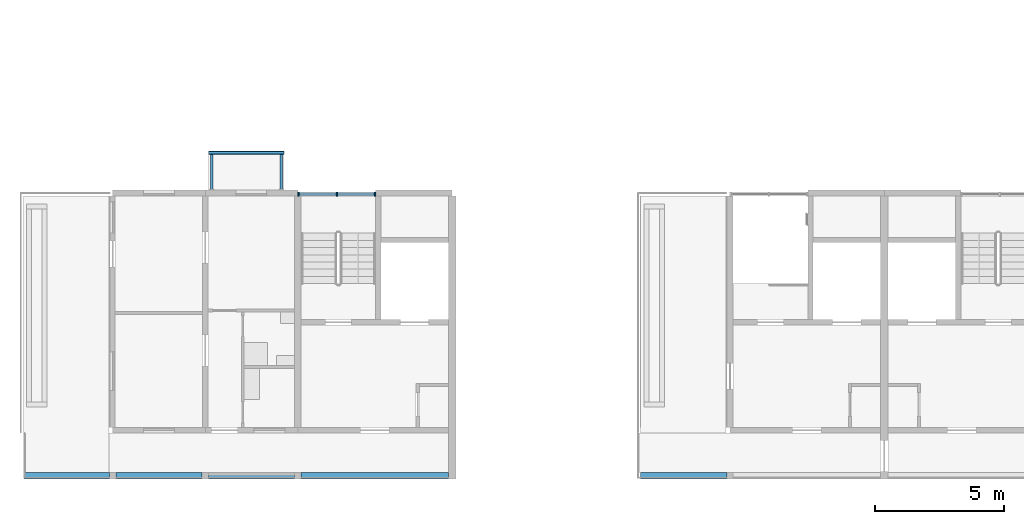
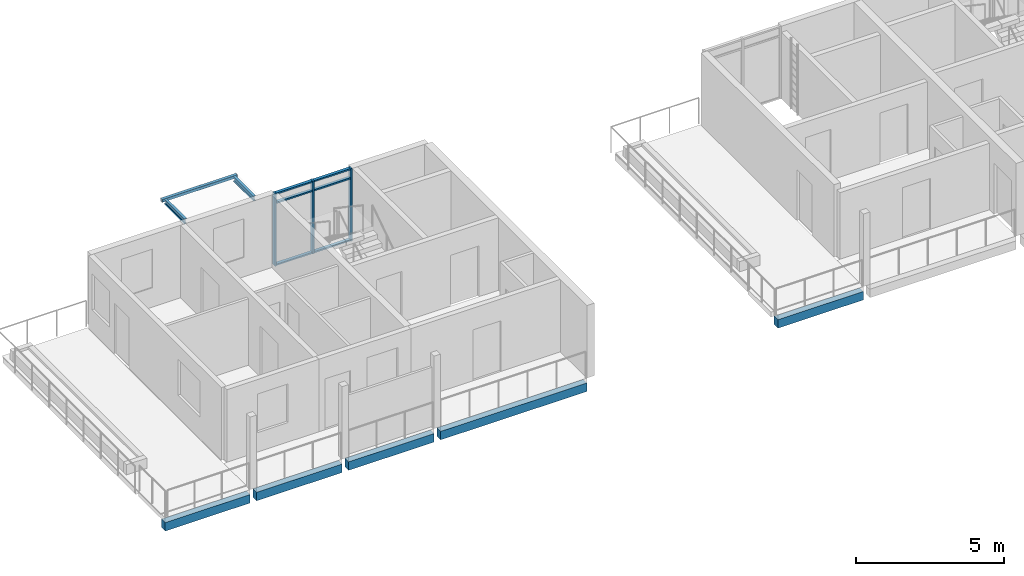
# One storey, part 4 of 55: 9 members, 8 beams, 1 element without a shape of its own.
"""IFC4 building model written with IfcOpenShell, lengths in metres."""

import ifcopenshell
import ifcopenshell.guid

model = None  # the IFC model being written
_history = None  # IfcOwnerHistory: only IFC2X3 demands one
_inside = {}  # id of a spatial element -> (the spatial element, [elements in it])
_under = {}  # id of a project, library or spatial element -> (it, [spatial elements below it])
_declared = {}  # id of a project -> (the project, [libraries it declares])
_typed = {}  # id of a type object -> (the type object, [elements of that type])
_made_of = {}  # id of a material, layer set ... -> (it, [elements and type objects made of it])


def new_model(schema):
    """Start an empty IFC model of exactly this schema.

    Asked for "IFC4X3", IfcOpenShell would pick the latest addendum, in which some entities
    have other attributes; the version numbers below select the first issue.
    IFC2X3 requires an IfcOwnerHistory on every rooted entity: one is made here for all.
    """
    global model, _history
    if schema == "IFC4X3":
        model = ifcopenshell.file(schema_version=(4, 3, 0, 0))
    else:
        model = ifcopenshell.file(schema=schema)
    _inside.clear()
    _under.clear()
    _declared.clear()
    _typed.clear()
    _made_of.clear()
    _history = None
    if model.schema == "IFC2X3":
        org = make("IfcOrganization", Name="unknown")
        user = make(
            "IfcPersonAndOrganization",
            ThePerson=make("IfcPerson", FamilyName="unknown"),
            TheOrganization=org,
        )
        app = make(
            "IfcApplication",
            ApplicationDeveloper=org,
            Version="unknown",
            ApplicationFullName="unknown",
            ApplicationIdentifier="unknown",
        )
        _history = make(
            "IfcOwnerHistory",
            OwningUser=user,
            OwningApplication=app,
            ChangeAction="ADDED",
            CreationDate=0,
        )
    return model


def make(cls, **values):
    """One entity of the class cls with the attributes given. An attribute that is None is left unset."""
    return model.create_entity(
        cls, **{name: value for name, value in values.items() if value is not None}
    )


def rooted(cls, **values):
    """An entity with a GlobalId (a new one), such as an element, a storey or a relation."""
    return make(cls, GlobalId=ifcopenshell.guid.new(), OwnerHistory=_history, **values)


def si_unit(unit_type, name, prefix=None):
    """IfcSIUnit, for example si_unit("LENGTHUNIT", "METRE", prefix="MILLI")."""
    return make("IfcSIUnit", UnitType=unit_type, Prefix=prefix, Name=name)


def assignment(units):
    """IfcUnitAssignment: the units of a project."""
    return None if units is None else make("IfcUnitAssignment", Units=units)


def point(xyz):
    """IfcCartesianPoint."""
    return None if xyz is None else make("IfcCartesianPoint", Coordinates=xyz)


def direction(xyz):
    """IfcDirection."""
    return None if xyz is None else make("IfcDirection", DirectionRatios=xyz)


def frame(location, z_axis=None, x_axis=None):
    """IfcAxis2Placement3D, a coordinate frame: its origin and axes. An axis left out is left unset."""
    return make(
        "IfcAxis2Placement3D",
        Location=point(location),
        Axis=direction(z_axis),
        RefDirection=direction(x_axis),
    )


def frame_2d(location, x_axis=None):
    """IfcAxis2Placement2D, a coordinate frame in the plane: its origin and x axis."""
    return make(
        "IfcAxis2Placement2D", Location=point(location), RefDirection=direction(x_axis)
    )


def origin():
    """The frame at (0, 0, 0) with its axes left unset."""
    return frame((0.0, 0.0, 0.0))


def origin_2d():
    """The frame at (0, 0) in the plane with its x axis left unset."""
    return frame_2d((0.0, 0.0))


def place(relative_to, where):
    """IfcLocalPlacement: puts the frame where relative to a parent placement (None: the world)."""
    return make(
        "IfcLocalPlacement", PlacementRelTo=relative_to, RelativePlacement=where
    )


def context(
    kind, dimensions, precision=None, world=None, true_north=None, identifier=None
):
    """IfcGeometricRepresentationContext, for example the 3D "Model" context."""
    return make(
        "IfcGeometricRepresentationContext",
        ContextIdentifier=identifier,
        ContextType=kind,
        CoordinateSpaceDimension=dimensions,
        Precision=precision,
        WorldCoordinateSystem=world,
        TrueNorth=true_north,
    )


def subcontext(parent, identifier, kind, view, scale=None):
    """IfcGeometricRepresentationSubContext, for example "Body" below "Model"."""
    return make(
        "IfcGeometricRepresentationSubContext",
        ContextIdentifier=identifier,
        ContextType=kind,
        ParentContext=parent,
        TargetScale=scale,
        TargetView=view,
    )


def project(units=None, contexts=None):
    """IfcProject with its units and contexts."""
    return rooted(
        "IfcProject",
        Name="project",
        RepresentationContexts=contexts,
        UnitsInContext=assignment(units),
    )


def spatial(cls, under=None, at=None, **own):
    """A site, building, storey or space (cls), placed at a placement, below another one or the project."""
    s = rooted(cls, ObjectPlacement=at, **own)
    if under is not None:
        _under.setdefault(under.id(), (under, []))[1].append(s)
    return s


def profile(cls, at=None, kind="AREA", **sizes):
    """A parametric profile (cls). Its sizes go by their IFC names, for example OverallWidth=200.0."""
    return make(cls, ProfileType=kind, Position=at, **sizes)


def rectangle(**sizes):
    """IfcRectangleProfileDef."""
    return profile("IfcRectangleProfileDef", **sizes)


def hollow_rectangle(**sizes):
    """IfcRectangleHollowProfileDef."""
    return profile("IfcRectangleHollowProfileDef", **sizes)


def i_section(**sizes):
    """IfcIShapeProfileDef."""
    return profile("IfcIShapeProfileDef", **sizes)


def extrude(swept, where, along, depth):
    """IfcExtrudedAreaSolid: the profile swept, set in the frame where, extruded along a direction by depth."""
    return make(
        "IfcExtrudedAreaSolid",
        SweptArea=swept,
        Position=where,
        ExtrudedDirection=direction(along),
        Depth=depth,
    )


def shape(context_of_items, identifier, shape_type, items):
    """IfcShapeRepresentation: the items that make up one representation, for example the "Body"."""
    return make(
        "IfcShapeRepresentation",
        ContextOfItems=context_of_items,
        RepresentationIdentifier=identifier,
        RepresentationType=shape_type,
        Items=items,
    )


def material(Name=None, Category=None):
    """IfcMaterial."""
    return make("IfcMaterial", Name=Name, Category=Category)


def material_profile(
    of_material, cross_section, Name=None, Category=None, Priority=None
):
    """IfcMaterialProfile: a cross section and its material."""
    return make(
        "IfcMaterialProfile",
        Name=Name,
        Material=of_material,
        Profile=cross_section,
        Priority=Priority,
        Category=Category,
    )


def profile_set(profiles, Name=None, composite=None):
    """IfcMaterialProfileSet."""
    return make(
        "IfcMaterialProfileSet",
        Name=Name,
        MaterialProfiles=profiles,
        CompositeProfile=composite,
    )


def made_of(thing, what):
    """Note that an element or type object is made of a material, layer set ...; save() writes the relation."""
    if what is not None:
        _made_of.setdefault(what.id(), (what, []))[1].append(thing)
    return thing


def type_object(cls, material=None, **own):
    """A type object (cls), such as IfcWallType, which elements share."""
    return made_of(rooted(cls, **own), material)


def element(
    cls,
    number,
    at=None,
    inside=None,
    cuts=None,
    type_object=None,
    material=None,
    context=None,
    identifier="Body",
    shape_type=None,
    held_by="IfcProductDefinitionShape",
    body=None,
    shapes=None,
    **own,
):
    """One element of the class cls, such as IfcWall. Its Tag is "e" and its number.

    at: its placement. inside: the storey or other place that contains it. cuts: it is an
    opening in that element (IfcRelVoidsElement). A single representation is given by context,
    identifier, shape_type and body (its items); several are given by shapes. held_by: the class
    of the entity that holds the representations. save() writes the other relations.
    """
    e = rooted(cls, Tag="e%d" % number, ObjectPlacement=at, **own)
    if body is not None:
        shapes = [shape(context, identifier, shape_type, body)]
    if shapes is not None:
        e.Representation = make(held_by, Representations=shapes)
    if inside is not None:
        _inside.setdefault(inside.id(), (inside, []))[1].append(e)
    if cuts is not None:
        rooted(
            "IfcRelVoidsElement", RelatingBuildingElement=cuts, RelatedOpeningElement=e
        )
    if type_object is not None:
        _typed.setdefault(type_object.id(), (type_object, []))[1].append(e)
    return made_of(e, material)


def aggregate(whole, parts):
    """IfcRelAggregates: a whole, such as a stair, and the parts it consists of."""
    return rooted("IfcRelAggregates", RelatingObject=whole, RelatedObjects=parts)


def save(model, path):
    """Write the relations noted so far, then the file.

    IfcRelAggregates (storeys below a building ...), IfcRelContainedInSpatialStructure (elements
    in a storey), IfcRelDefinesByType, IfcRelAssociatesMaterial and IfcRelDeclares: one each for
    every whole, place, type object, material and project.
    """
    for whole, parts in _under.values():
        aggregate(whole, parts)
    for where, things in _inside.values():
        rooted(
            "IfcRelContainedInSpatialStructure",
            RelatedElements=things,
            RelatingStructure=where,
        )
    for kind, things in _typed.values():
        rooted("IfcRelDefinesByType", RelatedObjects=things, RelatingType=kind)
    for what, things in _made_of.values():
        rooted("IfcRelAssociatesMaterial", RelatedObjects=things, RelatingMaterial=what)
    for by, libraries in _declared.values():
        rooted("IfcRelDeclares", RelatingContext=by, RelatedDefinitions=libraries)
    model.write(path)


model = new_model("IFC4")

# Units and contexts
model_context = context("Model", 3, precision=1e-05, world=origin(), true_north=direction((0.0, 1.0)))
body_context = subcontext(model_context, "Body", "Model", "MODEL_VIEW")
ifc_project = project(units=[si_unit("LENGTHUNIT", "METRE"), si_unit("AREAUNIT", "SQUARE_METRE"), si_unit("VOLUMEUNIT", "CUBIC_METRE"), si_unit("PLANEANGLEUNIT", "RADIAN"), si_unit("MASSUNIT", "GRAM", prefix="KILO")], contexts=[model_context])

# Site, building, storey
site_placement = place(None, origin())
site = spatial("IfcSite", under=ifc_project, at=site_placement, CompositionType="ELEMENT")
building_placement = place(site_placement, origin())
building = spatial("IfcBuilding", under=site, at=building_placement, Name="Ridgestep Commons", CompositionType="ELEMENT")
storey_placement = place(building_placement, frame((0.0, 0.0, 36.0)))
storey = spatial("IfcBuildingStorey", under=building, at=storey_placement, Name="L12", CompositionType="ELEMENT", Elevation=36.0)

# Beams
ifc_material_1 = material(Name="Precast concrete C40/50", Category="concrete")
ifc_material_profile_1 = material_profile(ifc_material_1, rectangle(XDim=0.25, YDim=0.35009765625, at=origin_2d()), Name="PC 250x350")
ifc_profile_set_1 = profile_set([ifc_material_profile_1], Name="Precast concrete C40/50")
beam_type_1 = type_object("IfcBeamType", Name="Loggia edge beam 250 x 350", PredefinedType="SPANDREL", material=ifc_profile_set_1)
beam_1_placement = place(storey_placement, frame((12.14990234375, 11.875, -0.375), z_axis=(1.0, 0.0, 0.0), x_axis=(0.0, 1.0, 0.0)))
element("IfcBeam", 1, at=beam_1_placement, inside=storey, type_object=beam_type_1, Name="Loggia edge beam A1T1 L12", PredefinedType="SPANDREL", context=body_context, shape_type="SweptSolid", body=[
    extrude(rectangle(XDim=0.25, YDim=0.35009765625, at=origin_2d()), origin(), (0.0, 0.0, 1.0), 3.3251953125),
])
beam_2_placement = place(storey_placement, frame((15.72509765625, 11.875, -0.375), z_axis=(1.0, 0.0, 0.0), x_axis=(0.0, 1.0, 0.0)))
element("IfcBeam", 2, at=beam_2_placement, inside=storey, type_object=beam_type_1, Name="Loggia edge beam A1T2 L12", PredefinedType="SPANDREL", context=body_context, shape_type="SweptSolid", body=[
    extrude(rectangle(XDim=0.25, YDim=0.35009765625, at=origin_2d()), origin(), (0.0, 0.0, 1.0), 3.349853515625),
])
beam_3_placement = place(storey_placement, frame((19.324951171875, 11.875, -0.375), z_axis=(1.0, 0.0, 0.0), x_axis=(0.0, 1.0, 0.0)))
element("IfcBeam", 3, at=beam_3_placement, inside=storey, type_object=beam_type_1, Name="Loggia edge beam A1T3 L12", PredefinedType="SPANDREL", context=body_context, shape_type="SweptSolid", body=[
    extrude(rectangle(XDim=0.25, YDim=0.35009765625, at=origin_2d()), origin(), (0.0, 0.0, 1.0), 3.35009765625),
])
beam_4_placement = place(storey_placement, frame((22.925048828125, 11.875, -0.375), z_axis=(1.0, 0.0, 0.0), x_axis=(0.0, 1.0, 0.0)))
element("IfcBeam", 4, at=beam_4_placement, inside=storey, type_object=beam_type_1, Name="Loggia edge beam A1C L12", PredefinedType="SPANDREL", context=body_context, shape_type="SweptSolid", body=[
    extrude(rectangle(XDim=0.25, YDim=0.35009765625, at=origin_2d()), origin(), (0.0, 0.0, 1.0), 5.724853515625),
])
beam_5_placement = place(storey_placement, frame((36.125, 11.875, -0.375), z_axis=(1.0, 0.0, 0.0), x_axis=(0.0, 1.0, 0.0)))
element("IfcBeam", 5, at=beam_5_placement, inside=storey, type_object=beam_type_1, Name="Loggia edge beam A2T3 L12", PredefinedType="SPANDREL", context=body_context, shape_type="SweptSolid", body=[
    extrude(rectangle(XDim=0.25, YDim=0.35009765625, at=origin_2d()), origin(), (0.0, 0.0, 1.0), 3.35009765625),
])

# Curtain wall, members
ifc_material_2 = material(Name="Aluminium 6063-T6 and glass", Category="aluminium")
curtain_wall_type = type_object("IfcCurtainWallType", Name="Curtain wall stair strip", PredefinedType="NOTDEFINED", material=ifc_material_2)
curtain_wall_placement = place(storey_placement, origin())
curtain_wall = element("IfcCurtainWall", 6, at=curtain_wall_placement, inside=storey, type_object=curtain_wall_type, Name="Curtain wall A1C level 12", PredefinedType="NOTDEFINED")
ifc_material_3 = material(Name="Aluminium 6063-T6", Category="aluminium")
ifc_material_profile_2 = material_profile(ifc_material_3, rectangle(XDim=0.159912109375, YDim=0.06005859375, at=origin_2d()), Name="Mullion 60 x 160")
ifc_profile_set_2 = profile_set([ifc_material_profile_2], Name="Aluminium 6063-T6")
member_type_1 = type_object("IfcMemberType", Name="Mullion 60 x 160", PredefinedType="MULLION", material=ifc_profile_set_2)
member_1_placement = place(storey_placement, frame((22.830078125, 22.830078125, 0.0), z_axis=(0.0, 0.0, 1.0), x_axis=(0.0, 1.0, 0.0)))
member_1 = element("IfcMember", 7, at=member_1_placement, type_object=member_type_1, Name="CW1 mullion 1", PredefinedType="MULLION", context=body_context, shape_type="SweptSolid", body=[
    extrude(rectangle(XDim=0.159912109375, YDim=0.06005859375, at=origin_2d()), origin(), (0.0, 0.0, 1.0), 3.0),
])
member_2_placement = place(storey_placement, frame((24.3125, 22.830078125, 0.0), z_axis=(0.0, 0.0, 1.0), x_axis=(0.0, 1.0, 0.0)))
member_2 = element("IfcMember", 8, at=member_2_placement, type_object=member_type_1, Name="CW1 mullion 2", PredefinedType="MULLION", context=body_context, shape_type="SweptSolid", body=[
    extrude(rectangle(XDim=0.159912109375, YDim=0.06005859375, at=origin_2d()), origin(), (0.0, 0.0, 1.0), 3.0),
])
member_3_placement = place(storey_placement, frame((25.794921875, 22.830078125, 0.0), z_axis=(0.0, 0.0, 1.0), x_axis=(0.0, 1.0, 0.0)))
member_3 = element("IfcMember", 9, at=member_3_placement, type_object=member_type_1, Name="CW1 mullion 3", PredefinedType="MULLION", context=body_context, shape_type="SweptSolid", body=[
    extrude(rectangle(XDim=0.159912109375, YDim=0.06005859375, at=origin_2d()), origin(), (0.0, 0.0, 1.0), 3.0),
])
ifc_material_4 = material(Name="Aluminium 6063-T6", Category="aluminium")
ifc_material_profile_3 = material_profile(ifc_material_4, rectangle(XDim=0.1201171875, YDim=0.06005859375, at=origin_2d()), Name="Transom 60 x 120")
ifc_profile_set_3 = profile_set([ifc_material_profile_3], Name="Aluminium 6063-T6")
member_type_2 = type_object("IfcMemberType", Name="Transom 60 x 120", PredefinedType="USERDEFINED", material=ifc_profile_set_3)
member_4_placement = place(storey_placement, frame((22.860107421875, 22.830078125, 0.030029296875), z_axis=(1.0, 0.0, 0.0), x_axis=(0.0, 1.0, 0.0)))
member_4 = element("IfcMember", 10, at=member_4_placement, type_object=member_type_2, Name="CW1 transom 1.1", ObjectType="TRANSOM", PredefinedType="USERDEFINED", context=body_context, shape_type="SweptSolid", body=[
    extrude(rectangle(XDim=0.1201171875, YDim=0.06005859375, at=origin_2d()), origin(), (0.0, 0.0, 1.0), 1.42236328125),
])
member_5_placement = place(storey_placement, frame((22.860107421875, 22.830078125, 2.590087890625), z_axis=(1.0, 0.0, 0.0), x_axis=(0.0, 1.0, 0.0)))
member_5 = element("IfcMember", 11, at=member_5_placement, type_object=member_type_2, Name="CW1 transom 1.2", ObjectType="TRANSOM", PredefinedType="USERDEFINED", context=body_context, shape_type="SweptSolid", body=[
    extrude(rectangle(XDim=0.1201171875, YDim=0.06005859375, at=origin_2d()), origin(), (0.0, 0.0, 1.0), 1.42236328125),
])
member_6_placement = place(storey_placement, frame((22.860107421875, 22.830078125, 2.969970703125), z_axis=(1.0, 0.0, 0.0), x_axis=(0.0, 1.0, 0.0)))
member_6 = element("IfcMember", 12, at=member_6_placement, type_object=member_type_2, Name="CW1 transom 1.3", ObjectType="TRANSOM", PredefinedType="USERDEFINED", context=body_context, shape_type="SweptSolid", body=[
    extrude(rectangle(XDim=0.1201171875, YDim=0.06005859375, at=origin_2d()), origin(), (0.0, 0.0, 1.0), 1.42236328125),
])
member_7_placement = place(storey_placement, frame((24.342529296875, 22.830078125, 0.030029296875), z_axis=(1.0, 0.0, 0.0), x_axis=(0.0, 1.0, 0.0)))
member_7 = element("IfcMember", 13, at=member_7_placement, type_object=member_type_2, Name="CW1 transom 2.1", ObjectType="TRANSOM", PredefinedType="USERDEFINED", context=body_context, shape_type="SweptSolid", body=[
    extrude(rectangle(XDim=0.1201171875, YDim=0.06005859375, at=origin_2d()), origin(), (0.0, 0.0, 1.0), 1.42236328125),
])
member_8_placement = place(storey_placement, frame((24.342529296875, 22.830078125, 2.590087890625), z_axis=(1.0, 0.0, 0.0), x_axis=(0.0, 1.0, 0.0)))
member_8 = element("IfcMember", 14, at=member_8_placement, type_object=member_type_2, Name="CW1 transom 2.2", ObjectType="TRANSOM", PredefinedType="USERDEFINED", context=body_context, shape_type="SweptSolid", body=[
    extrude(rectangle(XDim=0.1201171875, YDim=0.06005859375, at=origin_2d()), origin(), (0.0, 0.0, 1.0), 1.42236328125),
])
member_9_placement = place(storey_placement, frame((24.342529296875, 22.830078125, 2.969970703125), z_axis=(1.0, 0.0, 0.0), x_axis=(0.0, 1.0, 0.0)))
member_9 = element("IfcMember", 15, at=member_9_placement, type_object=member_type_2, Name="CW1 transom 2.3", ObjectType="TRANSOM", PredefinedType="USERDEFINED", context=body_context, shape_type="SweptSolid", body=[
    extrude(rectangle(XDim=0.1201171875, YDim=0.06005859375, at=origin_2d()), origin(), (0.0, 0.0, 1.0), 1.42236328125),
])
aggregate(curtain_wall, [member_1, member_2, member_3, member_4, member_5, member_6, member_7, member_8, member_9])

# Beams
ifc_material_5 = material(Name="Weathering steel S355J2W", Category="steel")
ifc_material_profile_4 = material_profile(ifc_material_5, i_section(OverallWidth=0.101806640625, OverallDepth=0.203125, WebThickness=0.00537109375, FlangeThickness=0.00927734375, FilletRadius=0.007568359375, at=origin_2d()), Name="UB 203x102x23")
ifc_profile_set_4 = profile_set([ifc_material_profile_4], Name="Weathering steel S355J2W")
beam_type_2 = type_object("IfcBeamType", Name="Tray arm UB 203x102x23", PredefinedType="BEAM", material=ifc_profile_set_4)
for number, where, z_axis, x_axis, name in (
    (16, (19.449951171875, 23.014892578125, 2.888427734375), (0.0, 1.0, 0.0), (-1.0, 0.0, 0.0), "Tray arm A1T3-13.1"),
    (17, (22.14990234375, 23.014892578125, 2.888427734375), (0.0, 1.0, 0.0), (-1.0, 0.0, 0.0), "Tray arm A1T3-13.2"),
):
    element("IfcBeam", number, at=place(storey_placement, frame(where, z_axis=z_axis, x_axis=x_axis)), inside=storey, type_object=beam_type_2, Name=name, PredefinedType="BEAM", context=body_context, shape_type="SweptSolid", body=[
        extrude(i_section(OverallWidth=0.101806640625, OverallDepth=0.203125, WebThickness=0.00537109375, FlangeThickness=0.00927734375, FilletRadius=0.007568359375, at=origin_2d()), origin(), (0.0, 0.0, 1.0), 1.364990234375),
    ])
ifc_material_6 = material(Name="Weathering steel S355J2W", Category="steel")
ifc_material_profile_5 = material_profile(ifc_material_6, hollow_rectangle(XDim=0.1201171875, YDim=0.1201171875, WallThickness=0.00634765625, InnerFilletRadius=0.00634765625, OuterFilletRadius=0.009521484375, at=origin_2d()), Name="SHS 120x120x6.3")
ifc_profile_set_5 = profile_set([ifc_material_profile_5], Name="Weathering steel S355J2W")
beam_type_3 = type_object("IfcBeamType", Name="Tray edge member SHS 120x120x6.3", PredefinedType="BEAM", material=ifc_profile_set_5)
beam_6_placement = place(storey_placement, frame((19.330078125, 24.43994140625, 2.929931640625), z_axis=(1.0, 0.0, 0.0), x_axis=(0.0, 0.0, 1.0)))
element("IfcBeam", 18, at=beam_6_placement, inside=storey, type_object=beam_type_3, Name="Tray edge member A1T3-13", PredefinedType="BEAM", context=body_context, shape_type="SweptSolid", body=[
    extrude(hollow_rectangle(XDim=0.1201171875, YDim=0.1201171875, WallThickness=0.00634765625, InnerFilletRadius=0.00634765625, OuterFilletRadius=0.009521484375, at=origin_2d()), origin(), (0.0, 0.0, 1.0), 2.93994140625),
])

save(model, "model.ifc")
